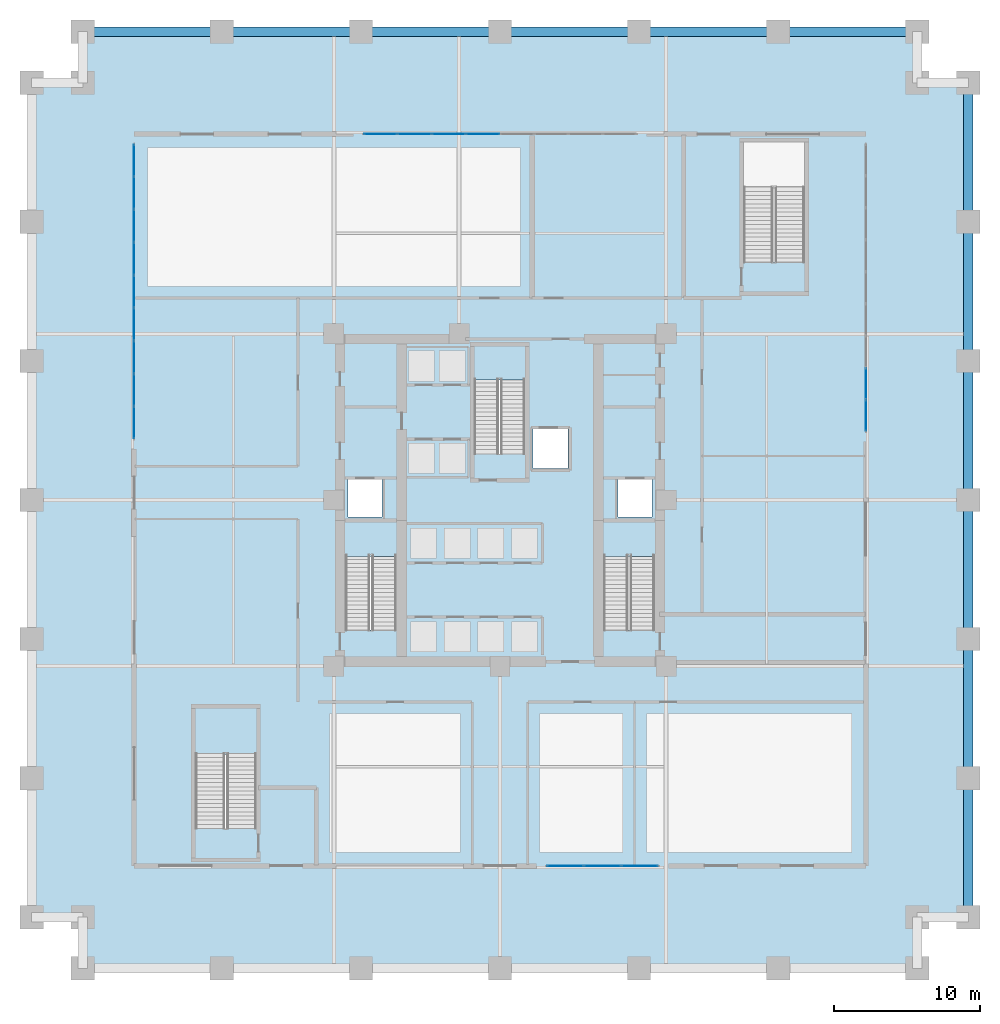
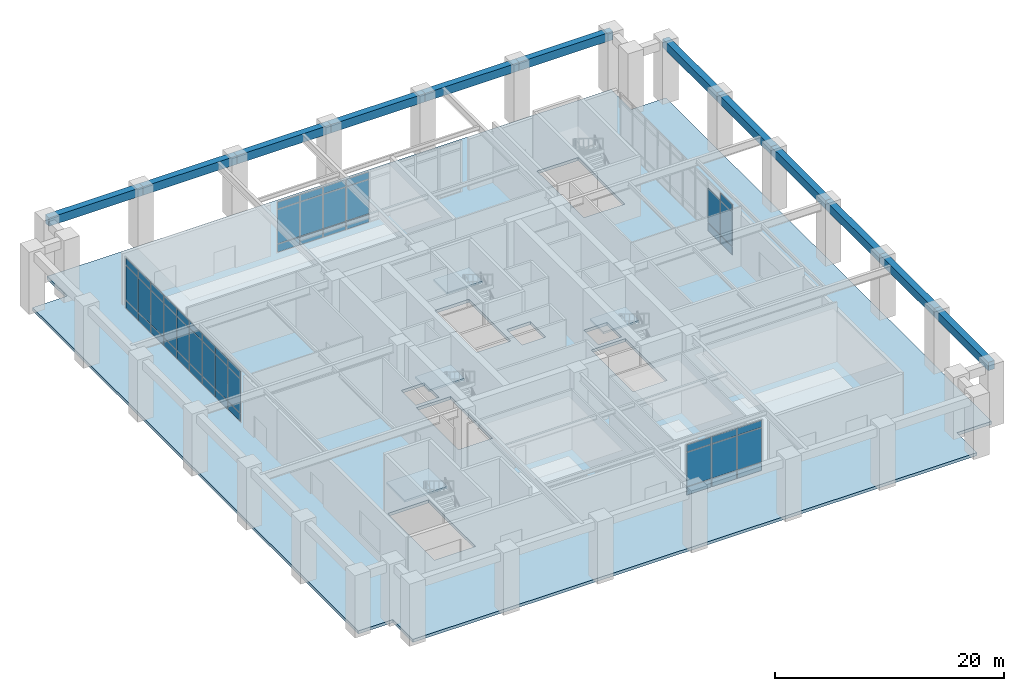
# One storey, part 7 of 17: 53 plates, 12 beams, 5 slabs, 8 elements without a shape of their own.
"""IFC4 building model written with IfcOpenShell, lengths in metres."""

from ifc_helpers import new_model, si_unit, direction, frame, origin, origin_2d, place, context, subcontext, project, spatial, polyline, rectangle, outline, extrude, material, layer, layer_set, material_profile, profile_set, type_object, element, aggregate, save


model = new_model("IFC4")

# Units and contexts
model_context = context("Model", 3, precision=1e-05, world=origin(), true_north=direction((0.0, 1.0)))
body_context = subcontext(model_context, "Body", "Model", "MODEL_VIEW")
ifc_project = project(units=[si_unit("LENGTHUNIT", "METRE"), si_unit("AREAUNIT", "SQUARE_METRE"), si_unit("VOLUMEUNIT", "CUBIC_METRE"), si_unit("PLANEANGLEUNIT", "RADIAN"), si_unit("MASSUNIT", "GRAM", prefix="KILO")], contexts=[model_context])

# Site, building, storey
site_placement = place(None, origin())
site = spatial("IfcSite", under=ifc_project, at=site_placement, CompositionType="ELEMENT")
building_placement = place(site_placement, origin())
building = spatial("IfcBuilding", under=site, at=building_placement, Name="Nhamokura Convention Tower", CompositionType="ELEMENT")
storey_placement = place(building_placement, origin())
storey = spatial("IfcBuildingStorey", under=building, at=storey_placement, Name="L00", CompositionType="ELEMENT", Elevation=0.0)

# Beams
ifc_material_1 = material(Name="Concrete C60/75", Category="concrete")
ifc_material_profile = material_profile(ifc_material_1, rectangle(XDim=0.64990234375, YDim=0.89990234375, at=origin_2d()))
ifc_profile_set = profile_set([ifc_material_profile], Name="Concrete C60/75")
beam_type = type_object("IfcBeamType", Name="TubeSpandrel_900", PredefinedType="SPANDREL", material=ifc_profile_set)
for number, where, z_axis, x_axis, name in (
    (1, (3.5, 64.0, 5.9599609375), (1.0, 0.0, 0.0), (0.0, 1.0, 0.0), "L00 Perimeter Spandrel NORTH 1"),
    (2, (13.0, 64.0, 5.9599609375), (1.0, 0.0, 0.0), (0.0, 1.0, 0.0), "L00 Perimeter Spandrel NORTH 2"),
    (3, (22.5, 64.0, 5.9599609375), (1.0, 0.0, 0.0), (0.0, 1.0, 0.0), "L00 Perimeter Spandrel NORTH 3"),
    (4, (32.0, 64.0, 5.9599609375), (1.0, 0.0, 0.0), (0.0, 1.0, 0.0), "L00 Perimeter Spandrel NORTH 4"),
    (5, (41.5, 64.0, 5.9599609375), (1.0, 0.0, 0.0), (0.0, 1.0, 0.0), "L00 Perimeter Spandrel NORTH 5"),
    (6, (51.0, 64.0, 5.9599609375), (1.0, 0.0, 0.0), (0.0, 1.0, 0.0), "L00 Perimeter Spandrel NORTH 6"),
    (7, (64.0, 3.5, 5.9599609375), (0.0, 1.0, 0.0), (-1.0, 0.0, 0.0), "L00 Perimeter Spandrel EAST 1"),
    (8, (64.0, 13.0, 5.9599609375), (0.0, 1.0, 0.0), (-1.0, 0.0, 0.0), "L00 Perimeter Spandrel EAST 2"),
    (9, (64.0, 22.5, 5.9599609375), (0.0, 1.0, 0.0), (-1.0, 0.0, 0.0), "L00 Perimeter Spandrel EAST 3"),
    (10, (64.0, 32.0, 5.9599609375), (0.0, 1.0, 0.0), (-1.0, 0.0, 0.0), "L00 Perimeter Spandrel EAST 4"),
    (11, (64.0, 41.5, 5.9599609375), (0.0, 1.0, 0.0), (-1.0, 0.0, 0.0), "L00 Perimeter Spandrel EAST 5"),
    (12, (64.0, 51.0, 5.9599609375), (0.0, 1.0, 0.0), (-1.0, 0.0, 0.0), "L00 Perimeter Spandrel EAST 6"),
):
    element("IfcBeam", number, at=place(storey_placement, frame(where, z_axis=z_axis, x_axis=x_axis)), inside=storey, type_object=beam_type, Name=name, PredefinedType="SPANDREL", context=body_context, shape_type="SweptSolid", body=[
        extrude(rectangle(XDim=0.64990234375, YDim=0.89990234375, at=origin_2d()), origin(), (0.0, 0.0, 1.0), 9.5),
    ])

# Curtain wall, plates
ifc_material_2 = material(Name="Anodised bronze aluminium AA6063-T6", Category="aluminium")
ifc_layer_1 = layer(ifc_material_2, 0.179931640625)
ifc_layer_set_1 = layer_set([ifc_layer_1], Name="CWSystem_PodiumConcourse")
curtain_wall_type = type_object("IfcCurtainWallType", Name="CWSystem_PodiumConcourse", PredefinedType="NOTDEFINED", material=ifc_layer_set_1)
curtain_wall_1_placement = place(storey_placement, origin())
curtain_wall_1 = element("IfcCurtainWall", 13, at=curtain_wall_1_placement, inside=storey, type_object=curtain_wall_type, Name="L00 Curtain Wall ENV-L00-CW-SCW", PredefinedType="NOTDEFINED")
ifc_material_3 = material(Name="Solar-control bronze low-E double glass", Category="glass")
ifc_layer_2 = layer(ifc_material_3, 0.031982421875)
ifc_layer_set_2 = layer_set([ifc_layer_2], Name="CWGlazedPanel_1")
plate_type = type_object("IfcPlateType", Name="CWGlazedPanel_1", PredefinedType="CURTAIN_PANEL", material=ifc_layer_set_2)
plate_1_placement = place(storey_placement, frame((41.547119140625, 7.0, 0.077880859375), z_axis=(0.0, 0.0, 1.0), x_axis=(-1.0, 0.0, 0.0)))
plate_1 = element("IfcPlate", 14, at=plate_1_placement, type_object=plate_type, Name="CW-01 panel 1.1", PredefinedType="CURTAIN_PANEL", context=body_context, shape_type="SweptSolid", body=[
    extrude(rectangle(XDim=2.44970703125, YDim=0.031982421875, at=origin_2d()), origin(), (0.0, 0.0, 1.0), 0.8330078125),
])
plate_2_placement = place(storey_placement, frame((41.547119140625, 7.0, 0.98876953125), z_axis=(0.0, 0.0, 1.0), x_axis=(-1.0, 0.0, 0.0)))
plate_2 = element("IfcPlate", 15, at=plate_2_placement, type_object=plate_type, Name="CW-01 panel 1.2", PredefinedType="CURTAIN_PANEL", context=body_context, shape_type="SweptSolid", body=[
    extrude(rectangle(XDim=2.44970703125, YDim=0.031982421875, at=origin_2d()), origin(), (0.0, 0.0, 1.0), 3.632080078125),
])
plate_3_placement = place(storey_placement, frame((41.547119140625, 7.0, 4.698974609375), z_axis=(0.0, 0.0, 1.0), x_axis=(-1.0, 0.0, 0.0)))
plate_3 = element("IfcPlate", 16, at=plate_3_placement, type_object=plate_type, Name="CW-01 panel 1.3", PredefinedType="CURTAIN_PANEL", context=body_context, shape_type="SweptSolid", body=[
    extrude(rectangle(XDim=2.44970703125, YDim=0.031982421875, at=origin_2d()), origin(), (0.0, 0.0, 1.0), 0.73291015625),
])
plate_4_placement = place(storey_placement, frame((39.0, 7.0, 0.077880859375), z_axis=(0.0, 0.0, 1.0), x_axis=(-1.0, 0.0, 0.0)))
plate_4 = element("IfcPlate", 17, at=plate_4_placement, type_object=plate_type, Name="CW-01 panel 2.1", PredefinedType="CURTAIN_PANEL", context=body_context, shape_type="SweptSolid", body=[
    extrude(rectangle(XDim=2.48876953125, YDim=0.031982421875, at=origin_2d()), origin(), (0.0, 0.0, 1.0), 0.8330078125),
])
plate_5_placement = place(storey_placement, frame((39.0, 7.0, 0.98876953125), z_axis=(0.0, 0.0, 1.0), x_axis=(-1.0, 0.0, 0.0)))
plate_5 = element("IfcPlate", 18, at=plate_5_placement, type_object=plate_type, Name="CW-01 panel 2.2", PredefinedType="CURTAIN_PANEL", context=body_context, shape_type="SweptSolid", body=[
    extrude(rectangle(XDim=2.48876953125, YDim=0.031982421875, at=origin_2d()), origin(), (0.0, 0.0, 1.0), 3.632080078125),
])
plate_6_placement = place(storey_placement, frame((39.0, 7.0, 4.698974609375), z_axis=(0.0, 0.0, 1.0), x_axis=(-1.0, 0.0, 0.0)))
plate_6 = element("IfcPlate", 19, at=plate_6_placement, type_object=plate_type, Name="CW-01 panel 2.3", PredefinedType="CURTAIN_PANEL", context=body_context, shape_type="SweptSolid", body=[
    extrude(rectangle(XDim=2.48876953125, YDim=0.031982421875, at=origin_2d()), origin(), (0.0, 0.0, 1.0), 0.73291015625),
])
plate_7_placement = place(storey_placement, frame((36.452880859375, 7.0, 0.077880859375), z_axis=(0.0, 0.0, 1.0), x_axis=(-1.0, 0.0, 0.0)))
plate_7 = element("IfcPlate", 20, at=plate_7_placement, type_object=plate_type, Name="CW-01 panel 3.1", PredefinedType="CURTAIN_PANEL", context=body_context, shape_type="SweptSolid", body=[
    extrude(rectangle(XDim=2.44970703125, YDim=0.031982421875, at=origin_2d()), origin(), (0.0, 0.0, 1.0), 0.8330078125),
])
plate_8_placement = place(storey_placement, frame((36.452880859375, 7.0, 0.98876953125), z_axis=(0.0, 0.0, 1.0), x_axis=(-1.0, 0.0, 0.0)))
plate_8 = element("IfcPlate", 21, at=plate_8_placement, type_object=plate_type, Name="CW-01 panel 3.2", PredefinedType="CURTAIN_PANEL", context=body_context, shape_type="SweptSolid", body=[
    extrude(rectangle(XDim=2.44970703125, YDim=0.031982421875, at=origin_2d()), origin(), (0.0, 0.0, 1.0), 3.632080078125),
])
plate_9_placement = place(storey_placement, frame((36.452880859375, 7.0, 4.698974609375), z_axis=(0.0, 0.0, 1.0), x_axis=(-1.0, 0.0, 0.0)))
plate_9 = element("IfcPlate", 22, at=plate_9_placement, type_object=plate_type, Name="CW-01 panel 3.3", PredefinedType="CURTAIN_PANEL", context=body_context, shape_type="SweptSolid", body=[
    extrude(rectangle(XDim=2.44970703125, YDim=0.031982421875, at=origin_2d()), origin(), (0.0, 0.0, 1.0), 0.73291015625),
])
aggregate(curtain_wall_1, [plate_1, plate_2, plate_3, plate_4, plate_5, plate_6, plate_7, plate_8, plate_9])

curtain_wall_2_placement = place(storey_placement, origin())
curtain_wall_2 = element("IfcCurtainWall", 23, at=curtain_wall_2_placement, inside=storey, type_object=curtain_wall_type, Name="L00 Curtain Wall ENV-L00-CW-NCW", PredefinedType="NOTDEFINED")
plate_10_placement = place(storey_placement, frame((23.838134765625, 57.0, 0.077880859375), z_axis=(0.0, 0.0, 1.0), x_axis=(1.0, 0.0, 0.0)))
plate_10 = element("IfcPlate", 24, at=plate_10_placement, type_object=plate_type, Name="CW-01 panel 1.1", PredefinedType="CURTAIN_PANEL", context=body_context, shape_type="SweptSolid", body=[
    extrude(rectangle(XDim=2.220458984375, YDim=0.031982421875, at=origin_2d()), origin(), (0.0, 0.0, 1.0), 0.8330078125),
])
plate_11_placement = place(storey_placement, frame((23.838134765625, 57.0, 0.98876953125), z_axis=(0.0, 0.0, 1.0), x_axis=(1.0, 0.0, 0.0)))
plate_11 = element("IfcPlate", 25, at=plate_11_placement, type_object=plate_type, Name="CW-01 panel 1.2", PredefinedType="CURTAIN_PANEL", context=body_context, shape_type="SweptSolid", body=[
    extrude(rectangle(XDim=2.220458984375, YDim=0.031982421875, at=origin_2d()), origin(), (0.0, 0.0, 1.0), 3.632080078125),
])
plate_12_placement = place(storey_placement, frame((23.838134765625, 57.0, 4.698974609375), z_axis=(0.0, 0.0, 1.0), x_axis=(1.0, 0.0, 0.0)))
plate_12 = element("IfcPlate", 26, at=plate_12_placement, type_object=plate_type, Name="CW-01 panel 1.3", PredefinedType="CURTAIN_PANEL", context=body_context, shape_type="SweptSolid", body=[
    extrude(rectangle(XDim=2.220458984375, YDim=0.031982421875, at=origin_2d()), origin(), (0.0, 0.0, 1.0), 0.73291015625),
])
plate_13_placement = place(storey_placement, frame((26.15625, 57.0, 0.077880859375), z_axis=(0.0, 0.0, 1.0), x_axis=(1.0, 0.0, 0.0)))
plate_13 = element("IfcPlate", 27, at=plate_13_placement, type_object=plate_type, Name="CW-01 panel 2.1", PredefinedType="CURTAIN_PANEL", context=body_context, shape_type="SweptSolid", body=[
    extrude(rectangle(XDim=2.259521484375, YDim=0.031982421875, at=origin_2d()), origin(), (0.0, 0.0, 1.0), 0.8330078125),
])
plate_14_placement = place(storey_placement, frame((26.15625, 57.0, 0.98876953125), z_axis=(0.0, 0.0, 1.0), x_axis=(1.0, 0.0, 0.0)))
plate_14 = element("IfcPlate", 28, at=plate_14_placement, type_object=plate_type, Name="CW-01 panel 2.2", PredefinedType="CURTAIN_PANEL", context=body_context, shape_type="SweptSolid", body=[
    extrude(rectangle(XDim=2.259521484375, YDim=0.031982421875, at=origin_2d()), origin(), (0.0, 0.0, 1.0), 3.632080078125),
])
plate_15_placement = place(storey_placement, frame((26.15625, 57.0, 4.698974609375), z_axis=(0.0, 0.0, 1.0), x_axis=(1.0, 0.0, 0.0)))
plate_15 = element("IfcPlate", 29, at=plate_15_placement, type_object=plate_type, Name="CW-01 panel 2.3", PredefinedType="CURTAIN_PANEL", context=body_context, shape_type="SweptSolid", body=[
    extrude(rectangle(XDim=2.259521484375, YDim=0.031982421875, at=origin_2d()), origin(), (0.0, 0.0, 1.0), 0.73291015625),
])
plate_16_placement = place(storey_placement, frame((28.49365234375, 57.0, 0.077880859375), z_axis=(0.0, 0.0, 1.0), x_axis=(1.0, 0.0, 0.0)))
plate_16 = element("IfcPlate", 30, at=plate_16_placement, type_object=plate_type, Name="CW-01 panel 3.1", PredefinedType="CURTAIN_PANEL", context=body_context, shape_type="SweptSolid", body=[
    extrude(rectangle(XDim=2.259521484375, YDim=0.031982421875, at=origin_2d()), origin(), (0.0, 0.0, 1.0), 0.8330078125),
])
plate_17_placement = place(storey_placement, frame((28.49365234375, 57.0, 0.98876953125), z_axis=(0.0, 0.0, 1.0), x_axis=(1.0, 0.0, 0.0)))
plate_17 = element("IfcPlate", 31, at=plate_17_placement, type_object=plate_type, Name="CW-01 panel 3.2", PredefinedType="CURTAIN_PANEL", context=body_context, shape_type="SweptSolid", body=[
    extrude(rectangle(XDim=2.259521484375, YDim=0.031982421875, at=origin_2d()), origin(), (0.0, 0.0, 1.0), 3.632080078125),
])
plate_18_placement = place(storey_placement, frame((28.49365234375, 57.0, 4.698974609375), z_axis=(0.0, 0.0, 1.0), x_axis=(1.0, 0.0, 0.0)))
plate_18 = element("IfcPlate", 32, at=plate_18_placement, type_object=plate_type, Name="CW-01 panel 3.3", PredefinedType="CURTAIN_PANEL", context=body_context, shape_type="SweptSolid", body=[
    extrude(rectangle(XDim=2.259521484375, YDim=0.031982421875, at=origin_2d()), origin(), (0.0, 0.0, 1.0), 0.73291015625),
])
plate_19_placement = place(storey_placement, frame((30.831298828125, 57.0, 0.077880859375), z_axis=(0.0, 0.0, 1.0), x_axis=(1.0, 0.0, 0.0)))
plate_19 = element("IfcPlate", 33, at=plate_19_placement, type_object=plate_type, Name="CW-01 panel 4.1", PredefinedType="CURTAIN_PANEL", context=body_context, shape_type="SweptSolid", body=[
    extrude(rectangle(XDim=2.259521484375, YDim=0.031982421875, at=origin_2d()), origin(), (0.0, 0.0, 1.0), 0.8330078125),
])
plate_20_placement = place(storey_placement, frame((30.831298828125, 57.0, 0.98876953125), z_axis=(0.0, 0.0, 1.0), x_axis=(1.0, 0.0, 0.0)))
plate_20 = element("IfcPlate", 34, at=plate_20_placement, type_object=plate_type, Name="CW-01 panel 4.2", PredefinedType="CURTAIN_PANEL", context=body_context, shape_type="SweptSolid", body=[
    extrude(rectangle(XDim=2.259521484375, YDim=0.031982421875, at=origin_2d()), origin(), (0.0, 0.0, 1.0), 3.632080078125),
])
plate_21_placement = place(storey_placement, frame((30.831298828125, 57.0, 4.698974609375), z_axis=(0.0, 0.0, 1.0), x_axis=(1.0, 0.0, 0.0)))
plate_21 = element("IfcPlate", 35, at=plate_21_placement, type_object=plate_type, Name="CW-01 panel 4.3", PredefinedType="CURTAIN_PANEL", context=body_context, shape_type="SweptSolid", body=[
    extrude(rectangle(XDim=2.259521484375, YDim=0.031982421875, at=origin_2d()), origin(), (0.0, 0.0, 1.0), 0.73291015625),
])
aggregate(curtain_wall_2, [plate_10, plate_11, plate_12, plate_13, plate_14, plate_15, plate_16, plate_17, plate_18, plate_19, plate_20, plate_21])

curtain_wall_3_placement = place(storey_placement, origin())
curtain_wall_3 = element("IfcCurtainWall", 36, at=curtain_wall_3_placement, inside=storey, type_object=curtain_wall_type, Name="L00 Curtain Wall ENV-L00-CW-WCW", PredefinedType="NOTDEFINED")
plate_22_placement = place(storey_placement, frame((7.0, 37.291748046875, 0.077880859375), z_axis=(0.0, 0.0, 1.0), x_axis=(0.0, 1.0, 0.0)))
plate_22 = element("IfcPlate", 37, at=plate_22_placement, type_object=plate_type, Name="CW-01 panel 1.1", PredefinedType="CURTAIN_PANEL", context=body_context, shape_type="SweptSolid", body=[
    extrude(rectangle(XDim=2.12744140625, YDim=0.031982421875, at=origin_2d()), origin(), (0.0, 0.0, 1.0), 0.8330078125),
])
plate_23_placement = place(storey_placement, frame((7.0, 37.291748046875, 0.98876953125), z_axis=(0.0, 0.0, 1.0), x_axis=(0.0, 1.0, 0.0)))
plate_23 = element("IfcPlate", 38, at=plate_23_placement, type_object=plate_type, Name="CW-01 panel 1.2", PredefinedType="CURTAIN_PANEL", context=body_context, shape_type="SweptSolid", body=[
    extrude(rectangle(XDim=2.12744140625, YDim=0.031982421875, at=origin_2d()), origin(), (0.0, 0.0, 1.0), 3.632080078125),
])
plate_24_placement = place(storey_placement, frame((7.0, 37.291748046875, 4.698974609375), z_axis=(0.0, 0.0, 1.0), x_axis=(0.0, 1.0, 0.0)))
plate_24 = element("IfcPlate", 39, at=plate_24_placement, type_object=plate_type, Name="CW-01 panel 1.3", PredefinedType="CURTAIN_PANEL", context=body_context, shape_type="SweptSolid", body=[
    extrude(rectangle(XDim=2.12744140625, YDim=0.031982421875, at=origin_2d()), origin(), (0.0, 0.0, 1.0), 0.73291015625),
])
plate_25_placement = place(storey_placement, frame((7.0, 39.5166015625, 0.077880859375), z_axis=(0.0, 0.0, 1.0), x_axis=(0.0, 1.0, 0.0)))
plate_25 = element("IfcPlate", 40, at=plate_25_placement, type_object=plate_type, Name="CW-01 panel 2.1", PredefinedType="CURTAIN_PANEL", context=body_context, shape_type="SweptSolid", body=[
    extrude(rectangle(XDim=2.16650390625, YDim=0.031982421875, at=origin_2d()), origin(), (0.0, 0.0, 1.0), 0.8330078125),
])
plate_26_placement = place(storey_placement, frame((7.0, 39.5166015625, 0.98876953125), z_axis=(0.0, 0.0, 1.0), x_axis=(0.0, 1.0, 0.0)))
plate_26 = element("IfcPlate", 41, at=plate_26_placement, type_object=plate_type, Name="CW-01 panel 2.2", PredefinedType="CURTAIN_PANEL", context=body_context, shape_type="SweptSolid", body=[
    extrude(rectangle(XDim=2.16650390625, YDim=0.031982421875, at=origin_2d()), origin(), (0.0, 0.0, 1.0), 3.632080078125),
])
plate_27_placement = place(storey_placement, frame((7.0, 39.5166015625, 4.698974609375), z_axis=(0.0, 0.0, 1.0), x_axis=(0.0, 1.0, 0.0)))
plate_27 = element("IfcPlate", 42, at=plate_27_placement, type_object=plate_type, Name="CW-01 panel 2.3", PredefinedType="CURTAIN_PANEL", context=body_context, shape_type="SweptSolid", body=[
    extrude(rectangle(XDim=2.16650390625, YDim=0.031982421875, at=origin_2d()), origin(), (0.0, 0.0, 1.0), 0.73291015625),
])
plate_28_placement = place(storey_placement, frame((7.0, 41.76123046875, 0.077880859375), z_axis=(0.0, 0.0, 1.0), x_axis=(0.0, 1.0, 0.0)))
plate_28 = element("IfcPlate", 43, at=plate_28_placement, type_object=plate_type, Name="CW-01 panel 3.1", PredefinedType="CURTAIN_PANEL", context=body_context, shape_type="SweptSolid", body=[
    extrude(rectangle(XDim=2.16650390625, YDim=0.031982421875, at=origin_2d()), origin(), (0.0, 0.0, 1.0), 0.8330078125),
])
plate_29_placement = place(storey_placement, frame((7.0, 41.76123046875, 0.98876953125), z_axis=(0.0, 0.0, 1.0), x_axis=(0.0, 1.0, 0.0)))
plate_29 = element("IfcPlate", 44, at=plate_29_placement, type_object=plate_type, Name="CW-01 panel 3.2", PredefinedType="CURTAIN_PANEL", context=body_context, shape_type="SweptSolid", body=[
    extrude(rectangle(XDim=2.16650390625, YDim=0.031982421875, at=origin_2d()), origin(), (0.0, 0.0, 1.0), 3.632080078125),
])
plate_30_placement = place(storey_placement, frame((7.0, 41.76123046875, 4.698974609375), z_axis=(0.0, 0.0, 1.0), x_axis=(0.0, 1.0, 0.0)))
plate_30 = element("IfcPlate", 45, at=plate_30_placement, type_object=plate_type, Name="CW-01 panel 3.3", PredefinedType="CURTAIN_PANEL", context=body_context, shape_type="SweptSolid", body=[
    extrude(rectangle(XDim=2.16650390625, YDim=0.031982421875, at=origin_2d()), origin(), (0.0, 0.0, 1.0), 0.73291015625),
])
plate_31_placement = place(storey_placement, frame((7.0, 44.005615234375, 0.077880859375), z_axis=(0.0, 0.0, 1.0), x_axis=(0.0, 1.0, 0.0)))
plate_31 = element("IfcPlate", 46, at=plate_31_placement, type_object=plate_type, Name="CW-01 panel 4.1", PredefinedType="CURTAIN_PANEL", context=body_context, shape_type="SweptSolid", body=[
    extrude(rectangle(XDim=2.16650390625, YDim=0.031982421875, at=origin_2d()), origin(), (0.0, 0.0, 1.0), 0.8330078125),
])
plate_32_placement = place(storey_placement, frame((7.0, 44.005615234375, 0.98876953125), z_axis=(0.0, 0.0, 1.0), x_axis=(0.0, 1.0, 0.0)))
plate_32 = element("IfcPlate", 47, at=plate_32_placement, type_object=plate_type, Name="CW-01 panel 4.2", PredefinedType="CURTAIN_PANEL", context=body_context, shape_type="SweptSolid", body=[
    extrude(rectangle(XDim=2.16650390625, YDim=0.031982421875, at=origin_2d()), origin(), (0.0, 0.0, 1.0), 3.632080078125),
])
plate_33_placement = place(storey_placement, frame((7.0, 44.005615234375, 4.698974609375), z_axis=(0.0, 0.0, 1.0), x_axis=(0.0, 1.0, 0.0)))
plate_33 = element("IfcPlate", 48, at=plate_33_placement, type_object=plate_type, Name="CW-01 panel 4.3", PredefinedType="CURTAIN_PANEL", context=body_context, shape_type="SweptSolid", body=[
    extrude(rectangle(XDim=2.16650390625, YDim=0.031982421875, at=origin_2d()), origin(), (0.0, 0.0, 1.0), 0.73291015625),
])
plate_34_placement = place(storey_placement, frame((7.0, 46.25, 0.077880859375), z_axis=(0.0, 0.0, 1.0), x_axis=(0.0, 1.0, 0.0)))
plate_34 = element("IfcPlate", 49, at=plate_34_placement, type_object=plate_type, Name="CW-01 panel 5.1", PredefinedType="CURTAIN_PANEL", context=body_context, shape_type="SweptSolid", body=[
    extrude(rectangle(XDim=2.16650390625, YDim=0.031982421875, at=origin_2d()), origin(), (0.0, 0.0, 1.0), 0.8330078125),
])
plate_35_placement = place(storey_placement, frame((7.0, 46.25, 0.98876953125), z_axis=(0.0, 0.0, 1.0), x_axis=(0.0, 1.0, 0.0)))
plate_35 = element("IfcPlate", 50, at=plate_35_placement, type_object=plate_type, Name="CW-01 panel 5.2", PredefinedType="CURTAIN_PANEL", context=body_context, shape_type="SweptSolid", body=[
    extrude(rectangle(XDim=2.16650390625, YDim=0.031982421875, at=origin_2d()), origin(), (0.0, 0.0, 1.0), 3.632080078125),
])
plate_36_placement = place(storey_placement, frame((7.0, 46.25, 4.698974609375), z_axis=(0.0, 0.0, 1.0), x_axis=(0.0, 1.0, 0.0)))
plate_36 = element("IfcPlate", 51, at=plate_36_placement, type_object=plate_type, Name="CW-01 panel 5.3", PredefinedType="CURTAIN_PANEL", context=body_context, shape_type="SweptSolid", body=[
    extrude(rectangle(XDim=2.16650390625, YDim=0.031982421875, at=origin_2d()), origin(), (0.0, 0.0, 1.0), 0.73291015625),
])
plate_37_placement = place(storey_placement, frame((7.0, 48.494384765625, 0.077880859375), z_axis=(0.0, 0.0, 1.0), x_axis=(0.0, 1.0, 0.0)))
plate_37 = element("IfcPlate", 52, at=plate_37_placement, type_object=plate_type, Name="CW-01 panel 6.1", PredefinedType="CURTAIN_PANEL", context=body_context, shape_type="SweptSolid", body=[
    extrude(rectangle(XDim=2.16650390625, YDim=0.031982421875, at=origin_2d()), origin(), (0.0, 0.0, 1.0), 0.8330078125),
])
plate_38_placement = place(storey_placement, frame((7.0, 48.494384765625, 0.98876953125), z_axis=(0.0, 0.0, 1.0), x_axis=(0.0, 1.0, 0.0)))
plate_38 = element("IfcPlate", 53, at=plate_38_placement, type_object=plate_type, Name="CW-01 panel 6.2", PredefinedType="CURTAIN_PANEL", context=body_context, shape_type="SweptSolid", body=[
    extrude(rectangle(XDim=2.16650390625, YDim=0.031982421875, at=origin_2d()), origin(), (0.0, 0.0, 1.0), 3.632080078125),
])
plate_39_placement = place(storey_placement, frame((7.0, 48.494384765625, 4.698974609375), z_axis=(0.0, 0.0, 1.0), x_axis=(0.0, 1.0, 0.0)))
plate_39 = element("IfcPlate", 54, at=plate_39_placement, type_object=plate_type, Name="CW-01 panel 6.3", PredefinedType="CURTAIN_PANEL", context=body_context, shape_type="SweptSolid", body=[
    extrude(rectangle(XDim=2.16650390625, YDim=0.031982421875, at=origin_2d()), origin(), (0.0, 0.0, 1.0), 0.73291015625),
])
plate_40_placement = place(storey_placement, frame((7.0, 50.73876953125, 0.077880859375), z_axis=(0.0, 0.0, 1.0), x_axis=(0.0, 1.0, 0.0)))
plate_40 = element("IfcPlate", 55, at=plate_40_placement, type_object=plate_type, Name="CW-01 panel 7.1", PredefinedType="CURTAIN_PANEL", context=body_context, shape_type="SweptSolid", body=[
    extrude(rectangle(XDim=2.16650390625, YDim=0.031982421875, at=origin_2d()), origin(), (0.0, 0.0, 1.0), 0.8330078125),
])
plate_41_placement = place(storey_placement, frame((7.0, 50.73876953125, 0.98876953125), z_axis=(0.0, 0.0, 1.0), x_axis=(0.0, 1.0, 0.0)))
plate_41 = element("IfcPlate", 56, at=plate_41_placement, type_object=plate_type, Name="CW-01 panel 7.2", PredefinedType="CURTAIN_PANEL", context=body_context, shape_type="SweptSolid", body=[
    extrude(rectangle(XDim=2.16650390625, YDim=0.031982421875, at=origin_2d()), origin(), (0.0, 0.0, 1.0), 3.632080078125),
])
plate_42_placement = place(storey_placement, frame((7.0, 50.73876953125, 4.698974609375), z_axis=(0.0, 0.0, 1.0), x_axis=(0.0, 1.0, 0.0)))
plate_42 = element("IfcPlate", 57, at=plate_42_placement, type_object=plate_type, Name="CW-01 panel 7.3", PredefinedType="CURTAIN_PANEL", context=body_context, shape_type="SweptSolid", body=[
    extrude(rectangle(XDim=2.16650390625, YDim=0.031982421875, at=origin_2d()), origin(), (0.0, 0.0, 1.0), 0.73291015625),
])
plate_43_placement = place(storey_placement, frame((7.0, 52.9833984375, 0.077880859375), z_axis=(0.0, 0.0, 1.0), x_axis=(0.0, 1.0, 0.0)))
plate_43 = element("IfcPlate", 58, at=plate_43_placement, type_object=plate_type, Name="CW-01 panel 8.1", PredefinedType="CURTAIN_PANEL", context=body_context, shape_type="SweptSolid", body=[
    extrude(rectangle(XDim=2.16650390625, YDim=0.031982421875, at=origin_2d()), origin(), (0.0, 0.0, 1.0), 0.8330078125),
])
plate_44_placement = place(storey_placement, frame((7.0, 52.9833984375, 0.98876953125), z_axis=(0.0, 0.0, 1.0), x_axis=(0.0, 1.0, 0.0)))
plate_44 = element("IfcPlate", 59, at=plate_44_placement, type_object=plate_type, Name="CW-01 panel 8.2", PredefinedType="CURTAIN_PANEL", context=body_context, shape_type="SweptSolid", body=[
    extrude(rectangle(XDim=2.16650390625, YDim=0.031982421875, at=origin_2d()), origin(), (0.0, 0.0, 1.0), 3.632080078125),
])
plate_45_placement = place(storey_placement, frame((7.0, 52.9833984375, 4.698974609375), z_axis=(0.0, 0.0, 1.0), x_axis=(0.0, 1.0, 0.0)))
plate_45 = element("IfcPlate", 60, at=plate_45_placement, type_object=plate_type, Name="CW-01 panel 8.3", PredefinedType="CURTAIN_PANEL", context=body_context, shape_type="SweptSolid", body=[
    extrude(rectangle(XDim=2.16650390625, YDim=0.031982421875, at=origin_2d()), origin(), (0.0, 0.0, 1.0), 0.73291015625),
])
plate_46_placement = place(storey_placement, frame((7.0, 55.208251953125, 0.077880859375), z_axis=(0.0, 0.0, 1.0), x_axis=(0.0, 1.0, 0.0)))
plate_46 = element("IfcPlate", 61, at=plate_46_placement, type_object=plate_type, Name="CW-01 panel 9.1", PredefinedType="CURTAIN_PANEL", context=body_context, shape_type="SweptSolid", body=[
    extrude(rectangle(XDim=2.12744140625, YDim=0.031982421875, at=origin_2d()), origin(), (0.0, 0.0, 1.0), 0.8330078125),
])
plate_47_placement = place(storey_placement, frame((7.0, 55.208251953125, 0.98876953125), z_axis=(0.0, 0.0, 1.0), x_axis=(0.0, 1.0, 0.0)))
plate_47 = element("IfcPlate", 62, at=plate_47_placement, type_object=plate_type, Name="CW-01 panel 9.2", PredefinedType="CURTAIN_PANEL", context=body_context, shape_type="SweptSolid", body=[
    extrude(rectangle(XDim=2.12744140625, YDim=0.031982421875, at=origin_2d()), origin(), (0.0, 0.0, 1.0), 3.632080078125),
])
plate_48_placement = place(storey_placement, frame((7.0, 55.208251953125, 4.698974609375), z_axis=(0.0, 0.0, 1.0), x_axis=(0.0, 1.0, 0.0)))
plate_48 = element("IfcPlate", 63, at=plate_48_placement, type_object=plate_type, Name="CW-01 panel 9.3", PredefinedType="CURTAIN_PANEL", context=body_context, shape_type="SweptSolid", body=[
    extrude(rectangle(XDim=2.12744140625, YDim=0.031982421875, at=origin_2d()), origin(), (0.0, 0.0, 1.0), 0.73291015625),
])
aggregate(curtain_wall_3, [plate_22, plate_23, plate_24, plate_25, plate_26, plate_27, plate_28, plate_29, plate_30, plate_31, plate_32, plate_33, plate_34, plate_35, plate_36, plate_37, plate_38, plate_39, plate_40, plate_41, plate_42, plate_43, plate_44, plate_45, plate_46, plate_47, plate_48])

curtain_wall_4_placement = place(storey_placement, origin())
curtain_wall_4 = element("IfcCurtainWall", 64, at=curtain_wall_4_placement, inside=storey, type_object=curtain_wall_type, Name="L00 Curtain Wall ENV-L00-CW-EN", PredefinedType="NOTDEFINED")
plate_49_placement = place(storey_placement, frame((57.0, 39.933349609375, 0.077880859375), z_axis=(0.0, 0.0, 1.0), x_axis=(0.0, -1.0, 0.0)))
plate_49 = element("IfcPlate", 65, at=plate_49_placement, type_object=plate_type, Name="CW-01 panel 8.1", PredefinedType="CURTAIN_PANEL", context=body_context, shape_type="SweptSolid", body=[
    extrude(rectangle(XDim=2.11083984375, YDim=0.031982421875, at=origin_2d()), origin(), (0.0, 0.0, 1.0), 0.8330078125),
])
plate_50_placement = place(storey_placement, frame((57.0, 39.933349609375, 0.98876953125), z_axis=(0.0, 0.0, 1.0), x_axis=(0.0, -1.0, 0.0)))
plate_50 = element("IfcPlate", 66, at=plate_50_placement, type_object=plate_type, Name="CW-01 panel 8.2", PredefinedType="CURTAIN_PANEL", context=body_context, shape_type="SweptSolid", body=[
    extrude(rectangle(XDim=2.11083984375, YDim=0.031982421875, at=origin_2d()), origin(), (0.0, 0.0, 1.0), 3.632080078125),
])
plate_51_placement = place(storey_placement, frame((57.0, 37.763916015625, 0.077880859375), z_axis=(0.0, 0.0, 1.0), x_axis=(0.0, -1.0, 0.0)))
plate_51 = element("IfcPlate", 67, at=plate_51_placement, type_object=plate_type, Name="CW-01 panel 9.1", PredefinedType="CURTAIN_PANEL", context=body_context, shape_type="SweptSolid", body=[
    extrude(rectangle(XDim=2.07177734375, YDim=0.031982421875, at=origin_2d()), origin(), (0.0, 0.0, 1.0), 0.8330078125),
])
plate_52_placement = place(storey_placement, frame((57.0, 37.763916015625, 0.98876953125), z_axis=(0.0, 0.0, 1.0), x_axis=(0.0, -1.0, 0.0)))
plate_52 = element("IfcPlate", 68, at=plate_52_placement, type_object=plate_type, Name="CW-01 panel 9.2", PredefinedType="CURTAIN_PANEL", context=body_context, shape_type="SweptSolid", body=[
    extrude(rectangle(XDim=2.07177734375, YDim=0.031982421875, at=origin_2d()), origin(), (0.0, 0.0, 1.0), 3.632080078125),
])
plate_53_placement = place(storey_placement, frame((57.0, 37.763916015625, 4.698974609375), z_axis=(0.0, 0.0, 1.0), x_axis=(0.0, -1.0, 0.0)))
plate_53 = element("IfcPlate", 69, at=plate_53_placement, type_object=plate_type, Name="CW-01 panel 9.3", PredefinedType="CURTAIN_PANEL", context=body_context, shape_type="SweptSolid", body=[
    extrude(rectangle(XDim=2.07177734375, YDim=0.031982421875, at=origin_2d()), origin(), (0.0, 0.0, 1.0), 0.73291015625),
])
aggregate(curtain_wall_4, [plate_49, plate_50, plate_51, plate_52, plate_53])

# Stair, slab
ifc_material_4 = material(Name="Concrete C40/50", Category="concrete")
stair_type_1 = type_object("IfcStairType", Name="TowerCoreStair_1650", PredefinedType="HALF_TURN_STAIR", material=ifc_material_4)
stair_1_placement = place(storey_placement, origin())
stair_1 = element("IfcStair", 70, at=stair_1_placement, inside=storey, type_object=stair_type_1, Name="L00 West Core Smokeproof Stair ST-01", PredefinedType="HALF_TURN_STAIR")
ifc_material_5 = material(Name="Concrete C40/50", Category="concrete")
ifc_layer_3 = layer(ifc_material_5, 0.199951171875)
ifc_layer_set_3 = layer_set([ifc_layer_3], Name="StairLandingSlab_200")
slab_type_1 = type_object("IfcSlabType", Name="StairLandingSlab_200", PredefinedType="LANDING", material=ifc_layer_set_3)
slab_1_placement = place(storey_placement, frame((0.0, 0.0, 3.125)))
slab_1 = element("IfcSlab", 71, at=slab_1_placement, type_object=slab_type_1, Name="ST-01 landing 1", PredefinedType="LANDING", context=body_context, shape_type="SweptSolid", body=[
    extrude(outline(polyline([(24.97998046875, 28.14990234375), (24.97998046875, 30.530029296875), (21.3701171875, 30.530029296875), (21.3701171875, 28.14990234375), (24.97998046875, 28.14990234375)])), origin(), (0.0, 0.0, 1.0), 0.199951171875),
])
aggregate(stair_1, [slab_1])

stair_2_placement = place(storey_placement, origin())
stair_2 = element("IfcStair", 72, at=stair_2_placement, inside=storey, type_object=stair_type_1, Name="L00 East Core Smokeproof Stair ST-02", PredefinedType="HALF_TURN_STAIR")
slab_2_placement = place(storey_placement, frame((0.0, 0.0, 3.125)))
slab_2 = element("IfcSlab", 73, at=slab_2_placement, type_object=slab_type_1, Name="ST-02 landing 1", PredefinedType="LANDING", context=body_context, shape_type="SweptSolid", body=[
    extrude(outline(polyline([(42.6298828125, 28.14990234375), (42.6298828125, 30.530029296875), (39.02001953125, 30.530029296875), (39.02001953125, 28.14990234375), (42.6298828125, 28.14990234375)])), origin(), (0.0, 0.0, 1.0), 0.199951171875),
])
aggregate(stair_2, [slab_2])

stair_3_placement = place(storey_placement, origin())
stair_3 = element("IfcStair", 74, at=stair_3_placement, inside=storey, type_object=stair_type_1, Name="L00 North Core Smokeproof Stair ST-03", PredefinedType="HALF_TURN_STAIR")
slab_3_placement = place(storey_placement, frame((0.0, 0.0, 3.125)))
slab_3 = element("IfcSlab", 75, at=slab_3_placement, type_object=slab_type_1, Name="ST-03 landing 1", PredefinedType="LANDING", context=body_context, shape_type="SweptSolid", body=[
    extrude(outline(polyline([(33.780029296875, 40.199951171875), (33.780029296875, 42.580078125), (30.169921875, 42.580078125), (30.169921875, 40.199951171875), (33.780029296875, 40.199951171875)])), origin(), (0.0, 0.0, 1.0), 0.199951171875),
])
aggregate(stair_3, [slab_3])

ifc_material_6 = material(Name="Concrete C40/50", Category="concrete")
stair_type_2 = type_object("IfcStairType", Name="PodiumExitStair_2000", PredefinedType="HALF_TURN_STAIR", material=ifc_material_6)
stair_4_placement = place(storey_placement, origin())
stair_4 = element("IfcStair", 76, at=stair_4_placement, inside=storey, type_object=stair_type_2, Name="L00 South-West Podium Smokeproof Stair ST-04", PredefinedType="HALF_TURN_STAIR")
slab_4_placement = place(storey_placement, frame((0.0, 0.0, 3.125)))
slab_4 = element("IfcSlab", 77, at=slab_4_placement, type_object=slab_type_1, Name="ST-04 landing 1", PredefinedType="LANDING", context=body_context, shape_type="SweptSolid", body=[
    extrude(outline(polyline([(15.429931640625, 14.60009765625), (15.429931640625, 17.830078125), (11.1201171875, 17.830078125), (11.1201171875, 14.60009765625), (15.429931640625, 14.60009765625)])), origin(), (0.0, 0.0, 1.0), 0.199951171875),
])
aggregate(stair_4, [slab_4])

# Slab
ifc_material_7 = material(Name="Concrete C50/60", Category="concrete")
ifc_layer_4 = layer(ifc_material_7, 0.320068359375)
ifc_layer_set_4 = layer_set([ifc_layer_4], Name="StiltConcourseSlab_320")
slab_type_2 = type_object("IfcSlabType", Name="StiltConcourseSlab_320", PredefinedType="FLOOR", material=ifc_layer_set_4)
slab_5_placement = place(storey_placement, frame((0.0, 0.0, -0.320068359375)))
element("IfcSlab", 78, at=slab_5_placement, inside=storey, type_object=slab_type_2, Name="L00 Structural Floor Slab", PredefinedType="FLOOR", context=body_context, shape_type="SweptSolid", body=[
    extrude(outline(polyline([(3.5, 0.0), (60.5, 0.0), (60.5, 3.5), (64.0, 3.5), (64.0, 60.5), (60.5, 60.5), (60.5, 64.0), (3.5, 64.0), (3.5, 60.5), (0.0, 60.5), (0.0, 3.5), (3.5, 3.5), (3.5, 0.0)]), holes=[polyline([(24.89990234375, 23.10009765625), (24.89990234375, 30.449951171875), (21.449951171875, 30.449951171875), (21.449951171875, 23.10009765625), (24.89990234375, 23.10009765625)]), polyline([(42.550048828125, 23.10009765625), (42.550048828125, 30.449951171875), (39.10009765625, 30.449951171875), (39.10009765625, 23.10009765625), (42.550048828125, 23.10009765625)]), polyline([(33.699951171875, 35.14990234375), (33.699951171875, 42.5), (30.25, 42.5), (30.25, 35.14990234375), (33.699951171875, 35.14990234375)]), polyline([(15.35009765625, 9.550048828125), (15.35009765625, 17.75), (11.199951171875, 17.75), (11.199951171875, 9.550048828125), (15.35009765625, 9.550048828125)]), polyline([(52.800048828125, 48.25), (52.800048828125, 56.449951171875), (48.64990234375, 56.449951171875), (48.64990234375, 48.25), (52.800048828125, 48.25)]), polyline([(21.60009765625, 30.85009765625), (23.949951171875, 30.85009765625), (23.949951171875, 33.39990234375), (21.60009765625, 33.39990234375), (21.60009765625, 30.85009765625)]), polyline([(40.050048828125, 30.85009765625), (42.39990234375, 30.85009765625), (42.39990234375, 33.39990234375), (40.050048828125, 33.39990234375), (40.050048828125, 30.85009765625)]), polyline([(34.25, 34.14990234375), (36.64990234375, 34.14990234375), (36.64990234375, 36.85009765625), (34.25, 36.85009765625), (34.25, 34.14990234375)])]), origin(), (0.0, 0.0, 1.0), 0.320068359375),
])

save(model, "model.ifc")
